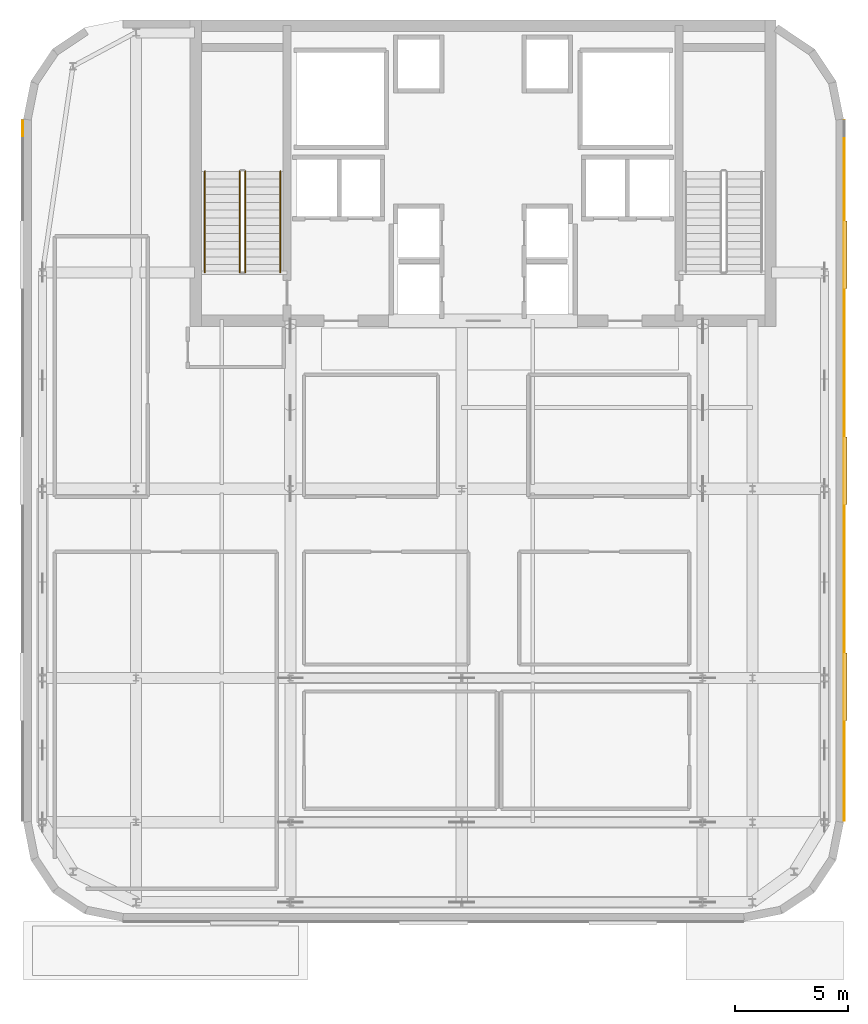
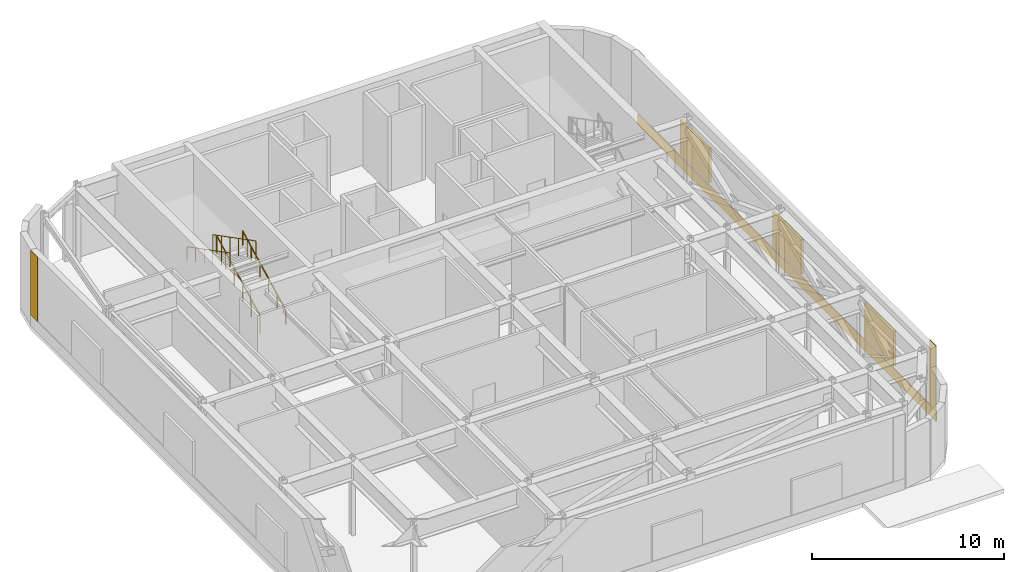
# One storey, part 12 of 13: 4 railings, 3 coverings, 3 shading devices.
"""IFC4 building model written with IfcOpenShell, lengths in metres."""

from ifc_helpers import new_model, si_unit, direction, frame, origin, origin_2d, place, context, subcontext, project, spatial, polyline, circle, outline, extrude, material, layer, layer_set, type_object, element, save


model = new_model("IFC4")

# Units and contexts
model_context = context("Model", 3, precision=1e-05, world=origin(), true_north=direction((0.0, 1.0)))
body_context = subcontext(model_context, "Body", "Model", "MODEL_VIEW")
ifc_project = project(units=[si_unit("LENGTHUNIT", "METRE"), si_unit("AREAUNIT", "SQUARE_METRE"), si_unit("VOLUMEUNIT", "CUBIC_METRE"), si_unit("PLANEANGLEUNIT", "RADIAN"), si_unit("MASSUNIT", "GRAM", prefix="KILO")], contexts=[model_context])

# Site, building, storey
site_placement = place(None, origin())
site = spatial("IfcSite", under=ifc_project, at=site_placement, CompositionType="ELEMENT")
building_placement = place(site_placement, origin())
building = spatial("IfcBuilding", under=site, at=building_placement, Name="Tolvann Quenvar Hotel", CompositionType="ELEMENT")
storey_placement = place(building_placement, frame((0.0, 0.0, 270.050048828125)))
storey = spatial("IfcBuildingStorey", under=building, at=storey_placement, Name="L72", CompositionType="ELEMENT", Elevation=270.050048828125)

# Coverings
ifc_material_1 = material(Name="Kiln-fired red architectural face brick cladding", Category="masonry")
ifc_layer_1 = layer(ifc_material_1, 0.0400390625)
ifc_layer_set_1 = layer_set([ifc_layer_1], Name="Kiln-fired red architectural face brick cladding")
covering_type_1 = type_object("IfcCoveringType", Name="COV_CLAD_BRICK_40", PredefinedType="CLADDING", material=ifc_layer_set_1)
covering_1_placement = place(storey_placement, frame((0.0, 0.0, 0.699951171875)))
element("IfcCovering", 1, at=covering_1_placement, inside=storey, type_object=covering_type_1, Name="Brick Pier Cladding (L72-E09-P1)", PredefinedType="CLADDING", context=body_context, shape_type="SweptSolid", body=[
    extrude(outline(polyline([(39.0, 9.667236328125), (39.0, 10.3671875), (39.0400390625, 10.3671875), (39.0400390625, 9.667236328125), (39.0, 9.667236328125)])), origin(), (0.0, 0.0, 1.0), 4.080078125),
])
covering_2_placement = place(storey_placement, frame((0.0, 0.0, 0.699951171875)))
element("IfcCovering", 2, at=covering_2_placement, inside=storey, type_object=covering_type_1, Name="Brick Pier Cladding (L72-E19-P1)", PredefinedType="CLADDING", context=body_context, shape_type="SweptSolid", body=[
    extrude(outline(polyline([(2.60009765625, 40.73291015625), (2.60009765625, 40.03271484375), (2.56005859375, 40.03271484375), (2.56005859375, 40.73291015625), (2.60009765625, 40.73291015625)])), origin(), (0.0, 0.0, 1.0), 4.080078125),
])
ifc_material_2 = material(Name="Moulded buff architectural terracotta spandrel cladding", Category="masonry")
ifc_layer_2 = layer(ifc_material_2, 0.0400390625)
ifc_layer_set_2 = layer_set([ifc_layer_2], Name="Moulded buff architectural terracotta spandrel cladding")
covering_type_2 = type_object("IfcCoveringType", Name="COV_CLAD_TERRA_40", PredefinedType="CLADDING", material=ifc_layer_set_2)
covering_3_placement = place(storey_placement, origin())
element("IfcCovering", 3, at=covering_3_placement, inside=storey, type_object=covering_type_2, Name="Terracotta Spandrel Cladding (L72-E09)", PredefinedType="CLADDING", context=body_context, shape_type="SweptSolid", body=[
    extrude(outline(polyline([(39.0, 9.6572265625), (39.0, 40.742919921875), (39.0400390625, 40.742919921875), (39.0400390625, 9.6572265625), (39.0, 9.6572265625)])), origin(), (0.0, 0.0, 1.0), 0.699951171875),
])

# Railings
ifc_material_3 = material(Name="Brushed 316 stainless steel balustrade and handrail", Category="steel")
railing_type_1 = type_object("IfcRailingType", Name="GUARDRAIL", PredefinedType="GUARDRAIL", material=ifc_material_3)
railing_1_placement = place(storey_placement, frame((12.449951171875, 34.0, 0.178466796875)))
element("IfcRailing", 4, at=railing_1_placement, inside=storey, type_object=railing_type_1, Name="L72 ST-C1 stair guard 1", PredefinedType="GUARDRAIL", context=body_context, shape_type="SweptSolid", body=[
    extrude(circle(Radius=0.02392578125, at=origin_2d()), frame((0.0, 0.0, 1.09619140625), z_axis=(0.0, 0.888084280779, 0.459680661147), x_axis=(-1.0, 0.0, 0.0)), (0.0, 0.0, 1.0), 5.05029296875),
    extrude(circle(Radius=0.02099609375, at=origin_2d()), origin(), (0.0, 0.0, 1.0), 1.072021484375),
    extrude(circle(Radius=0.02099609375, at=origin_2d()), frame((0.0, 0.89697265625, 0.46435546875)), (0.0, 0.0, 1.0), 1.072021484375),
    extrude(circle(Radius=0.02099609375, at=origin_2d()), frame((0.0, 1.7939453125, 0.9287109375)), (0.0, 0.0, 1.0), 1.072021484375),
    extrude(circle(Radius=0.02099609375, at=origin_2d()), frame((0.0, 2.691162109375, 1.392822265625)), (0.0, 0.0, 1.0), 1.072021484375),
    extrude(circle(Radius=0.02099609375, at=origin_2d()), frame((0.0, 3.588134765625, 1.857177734375)), (0.0, 0.0, 1.0), 1.072021484375),
    extrude(circle(Radius=0.02099609375, at=origin_2d()), frame((0.0, 4.485107421875, 2.321533203125)), (0.0, 0.0, 1.0), 1.072021484375),
])
railing_2_placement = place(storey_placement, frame((12.199951171875, 38.485107421875, 2.678466796875)))
element("IfcRailing", 5, at=railing_2_placement, inside=storey, type_object=railing_type_1, Name="L72 ST-C1 stair guard 3", PredefinedType="GUARDRAIL", context=body_context, shape_type="SweptSolid", body=[
    extrude(circle(Radius=0.02392578125, at=origin_2d()), frame((0.0, 0.0, 1.09619140625), z_axis=(0.0, -0.888084280779, 0.459680661147), x_axis=(1.0, 0.0, 0.0)), (0.0, 0.0, 1.0), 5.05029296875),
    extrude(circle(Radius=0.02099609375, at=origin_2d()), origin(), (0.0, 0.0, 1.0), 1.072021484375),
    extrude(circle(Radius=0.02099609375, at=origin_2d()), frame((0.0, -0.89697265625, 0.46435546875)), (0.0, 0.0, 1.0), 1.072021484375),
    extrude(circle(Radius=0.02099609375, at=origin_2d()), frame((0.0, -1.7939453125, 0.9287109375)), (0.0, 0.0, 1.0), 1.072021484375),
    extrude(circle(Radius=0.02099609375, at=origin_2d()), frame((0.0, -2.691162109375, 1.392822265625)), (0.0, 0.0, 1.0), 1.072021484375),
    extrude(circle(Radius=0.02099609375, at=origin_2d()), frame((0.0, -3.588134765625, 1.857177734375)), (0.0, 0.0, 1.0), 1.072021484375),
    extrude(circle(Radius=0.02099609375, at=origin_2d()), frame((0.0, -4.485107421875, 2.321533203125)), (0.0, 0.0, 1.0), 1.072021484375),
])
railing_type_2 = type_object("IfcRailingType", Name="HANDRAIL", PredefinedType="HANDRAIL", material=ifc_material_3)
railing_3_placement = place(storey_placement, frame((14.0, 34.0, 0.178466796875)))
element("IfcRailing", 6, at=railing_3_placement, inside=storey, type_object=railing_type_2, Name="L72 ST-C1 stair handrail 1", PredefinedType="HANDRAIL", context=body_context, shape_type="SweptSolid", body=[
    extrude(circle(Radius=0.02392578125, at=origin_2d()), frame((0.0, 0.0, 0.8759765625), z_axis=(0.0, 0.888084280779, 0.459680661147), x_axis=(-1.0, 0.0, 0.0)), (0.0, 0.0, 1.0), 5.05029296875),
    extrude(circle(Radius=0.02099609375, at=origin_2d()), origin(), (0.0, 0.0, 1.0), 0.851806640625),
    extrude(circle(Radius=0.02099609375, at=origin_2d()), frame((0.0, 0.89697265625, 0.46435546875)), (0.0, 0.0, 1.0), 0.851806640625),
    extrude(circle(Radius=0.02099609375, at=origin_2d()), frame((0.0, 1.7939453125, 0.9287109375)), (0.0, 0.0, 1.0), 0.851806640625),
    extrude(circle(Radius=0.02099609375, at=origin_2d()), frame((0.0, 2.691162109375, 1.392822265625)), (0.0, 0.0, 1.0), 0.851806640625),
    extrude(circle(Radius=0.02099609375, at=origin_2d()), frame((0.0, 3.588134765625, 1.857177734375)), (0.0, 0.0, 1.0), 0.851806640625),
    extrude(circle(Radius=0.02099609375, at=origin_2d()), frame((0.0, 4.485107421875, 2.321533203125)), (0.0, 0.0, 1.0), 0.851806640625),
])
railing_4_placement = place(storey_placement, frame((10.64990234375, 38.485107421875, 2.678466796875)))
element("IfcRailing", 7, at=railing_4_placement, inside=storey, type_object=railing_type_2, Name="L72 ST-C1 stair handrail 2", PredefinedType="HANDRAIL", context=body_context, shape_type="SweptSolid", body=[
    extrude(circle(Radius=0.02392578125, at=origin_2d()), frame((0.0, 0.0, 0.8759765625), z_axis=(0.0, -0.888084280779, 0.459680661147), x_axis=(1.0, 0.0, 0.0)), (0.0, 0.0, 1.0), 5.05029296875),
    extrude(circle(Radius=0.02099609375, at=origin_2d()), origin(), (0.0, 0.0, 1.0), 0.851806640625),
    extrude(circle(Radius=0.02099609375, at=origin_2d()), frame((0.0, -0.89697265625, 0.46435546875)), (0.0, 0.0, 1.0), 0.851806640625),
    extrude(circle(Radius=0.02099609375, at=origin_2d()), frame((0.0, -1.7939453125, 0.9287109375)), (0.0, 0.0, 1.0), 0.851806640625),
    extrude(circle(Radius=0.02099609375, at=origin_2d()), frame((0.0, -2.691162109375, 1.392822265625)), (0.0, 0.0, 1.0), 0.851806640625),
    extrude(circle(Radius=0.02099609375, at=origin_2d()), frame((0.0, -3.588134765625, 1.857177734375)), (0.0, 0.0, 1.0), 0.851806640625),
    extrude(circle(Radius=0.02099609375, at=origin_2d()), frame((0.0, -4.485107421875, 2.321533203125)), (0.0, 0.0, 1.0), 0.851806640625),
])

# Shading devices
ifc_material_4 = material(Name="Extruded bronze-anodised aluminium acoustic weather louvre", Category="aluminium")
shading_device_type = type_object("IfcShadingDeviceType", Name="SHD_LOUVRE_AL", PredefinedType="JALOUSIE", material=ifc_material_4)
shading_device_1_placement = place(storey_placement, frame((0.0, 0.0, 0.820068359375)))
element("IfcShadingDevice", 8, at=shading_device_1_placement, inside=storey, type_object=shading_device_type, Name="Acoustic Plant Weather Louvre (L72-E09-1)", PredefinedType="JALOUSIE", context=body_context, shape_type="SweptSolid", body=[
    extrude(outline(polyline([(39.0, 14.111572265625), (39.0, 17.111572265625), (39.14990234375, 17.111572265625), (39.14990234375, 14.111572265625), (39.0, 14.111572265625)])), origin(), (0.0, 0.0, 1.0), 2.199951171875),
])
shading_device_2_placement = place(storey_placement, frame((0.0, 0.0, 0.820068359375)))
element("IfcShadingDevice", 9, at=shading_device_2_placement, inside=storey, type_object=shading_device_type, Name="Acoustic Plant Weather Louvre (L72-E09-2)", PredefinedType="JALOUSIE", context=body_context, shape_type="SweptSolid", body=[
    extrude(outline(polyline([(39.0, 23.699951171875), (39.0, 26.699951171875), (39.14990234375, 26.699951171875), (39.14990234375, 23.699951171875), (39.0, 23.699951171875)])), origin(), (0.0, 0.0, 1.0), 2.199951171875),
])
shading_device_3_placement = place(storey_placement, frame((0.0, 0.0, 0.820068359375)))
element("IfcShadingDevice", 10, at=shading_device_3_placement, inside=storey, type_object=shading_device_type, Name="Acoustic Plant Weather Louvre (L72-E09-3)", PredefinedType="JALOUSIE", context=body_context, shape_type="SweptSolid", body=[
    extrude(outline(polyline([(39.0, 33.28857421875), (39.0, 36.28857421875), (39.14990234375, 36.28857421875), (39.14990234375, 33.28857421875), (39.0, 33.28857421875)])), origin(), (0.0, 0.0, 1.0), 2.199951171875),
])

save(model, "model.ifc")
